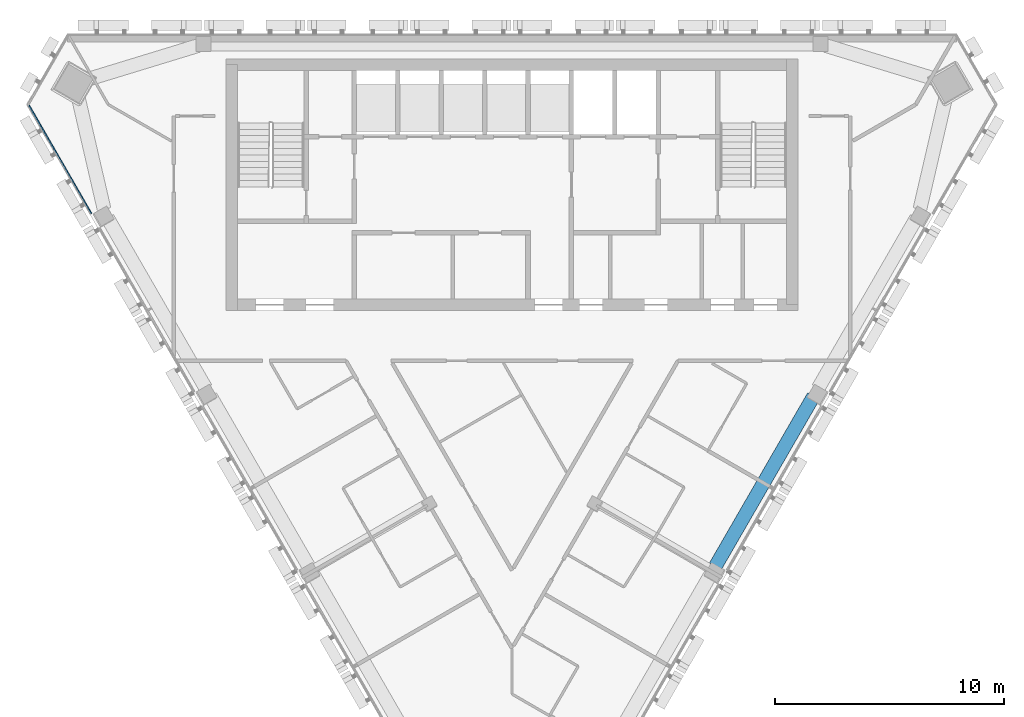
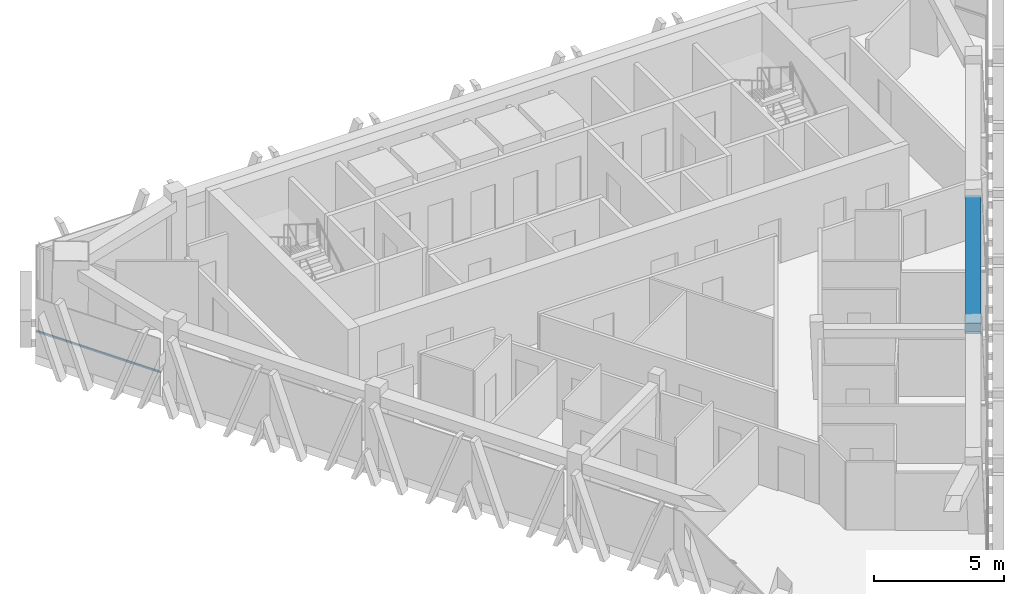
# One storey, part 3 of 11: 1 beam, 1 member, 1 element without a shape of its own.
"""IFC4 building model written with IfcOpenShell, lengths in metres."""

from ifc_helpers import new_model, si_unit, direction, frame, origin, origin_2d, place, context, subcontext, project, spatial, rectangle, extrude, material, layer, layer_set, material_profile, profile_set, type_object, element, aggregate, save


model = new_model("IFC4")

# Units and contexts
model_context = context("Model", 3, precision=1e-05, world=origin(), true_north=direction((0.0, 1.0)))
body_context = subcontext(model_context, "Body", "Model", "MODEL_VIEW")
ifc_project = project(units=[si_unit("LENGTHUNIT", "METRE"), si_unit("AREAUNIT", "SQUARE_METRE"), si_unit("VOLUMEUNIT", "CUBIC_METRE"), si_unit("PLANEANGLEUNIT", "RADIAN"), si_unit("MASSUNIT", "GRAM", prefix="KILO")], contexts=[model_context])

# Site, building, storey
site_placement = place(None, origin())
site = spatial("IfcSite", under=ifc_project, at=site_placement, CompositionType="ELEMENT")
building_placement = place(site_placement, origin())
building = spatial("IfcBuilding", under=site, at=building_placement, Name="Altiplano Prism Tower", CompositionType="ELEMENT")
storey_placement = place(building_placement, frame((0.0, 0.0, 327.39990234375)))
storey = spatial("IfcBuildingStorey", under=building, at=storey_placement, Name="L85", CompositionType="ELEMENT", Elevation=327.39990234375)

# Curtain wall, member
ifc_material_1 = material(Name="Aluminium and glass", Category="aluminium")
ifc_layer = layer(ifc_material_1, 0.280029296875)
ifc_layer_set = layer_set([ifc_layer], Name="Aluminium and glass")
curtain_wall_type = type_object("IfcCurtainWallType", Name="CW1 typical co-living unitised curtain wall", PredefinedType="NOTDEFINED", material=ifc_layer_set)
curtain_wall_placement = place(storey_placement, origin())
curtain_wall = element("IfcCurtainWall", 1, at=curtain_wall_placement, inside=storey, type_object=curtain_wall_type, Name="CW1 curtain wall south-west face L85", PredefinedType="NOTDEFINED")
ifc_material_2 = material(Name="Aluminium", Category="aluminium")
ifc_material_profile_1 = material_profile(ifc_material_2, rectangle(XDim=0.06005859375, YDim=0.080078125, at=origin_2d()), Name="CW1 transom 80 x 60")
ifc_profile_set_1 = profile_set([ifc_material_profile_1], Name="Aluminium")
member_type = type_object("IfcMemberType", Name="CW1 transom 80 x 60", PredefinedType="USERDEFINED", material=ifc_profile_set_1)
member_placement = place(storey_placement, frame((63.82568359375, 101.93701171875, 1.10009765625), z_axis=(0.499981774551, -0.866035925996, 0.0), x_axis=(0.866035925996, 0.499981774551, 0.0)))
member = element("IfcMember", 2, at=member_placement, type_object=member_type, Name="CW1 transom", ObjectType="TRANSOM", PredefinedType="USERDEFINED", context=body_context, shape_type="SweptSolid", body=[
    extrude(rectangle(XDim=0.06005859375, YDim=0.080078125, at=origin_2d()), origin(), (0.0, 0.0, 1.0), 5.541748046875),
])
aggregate(curtain_wall, [member])

# Beam
ifc_material_3 = material(Name="Concrete C60/75", Category="concrete")
ifc_material_profile_2 = material_profile(ifc_material_3, rectangle(XDim=0.60009765625, YDim=0.5, at=origin_2d()), Name="Edge beam 600x500")
ifc_profile_set_2 = profile_set([ifc_material_profile_2], Name="Concrete C60/75")
beam_type = type_object("IfcBeamType", Name="Edge beam 600x500", PredefinedType="SPANDREL", material=ifc_profile_set_2)
beam_placement = place(storey_placement, frame((93.89453125, 81.704833984375, 2.9501953125), z_axis=(0.500011935685, 0.866018512604, 0.0), x_axis=(-0.866018512604, 0.500011935685, 0.0)))
element("IfcBeam", 3, at=beam_placement, inside=storey, type_object=beam_type, Name="Edge beam P22-P23 L86", PredefinedType="SPANDREL", context=body_context, shape_type="SweptSolid", body=[
    extrude(rectangle(XDim=0.60009765625, YDim=0.5, at=origin_2d()), origin(), (0.0, 0.0, 1.0), 8.590087890625),
])

save(model, "model.ifc")
